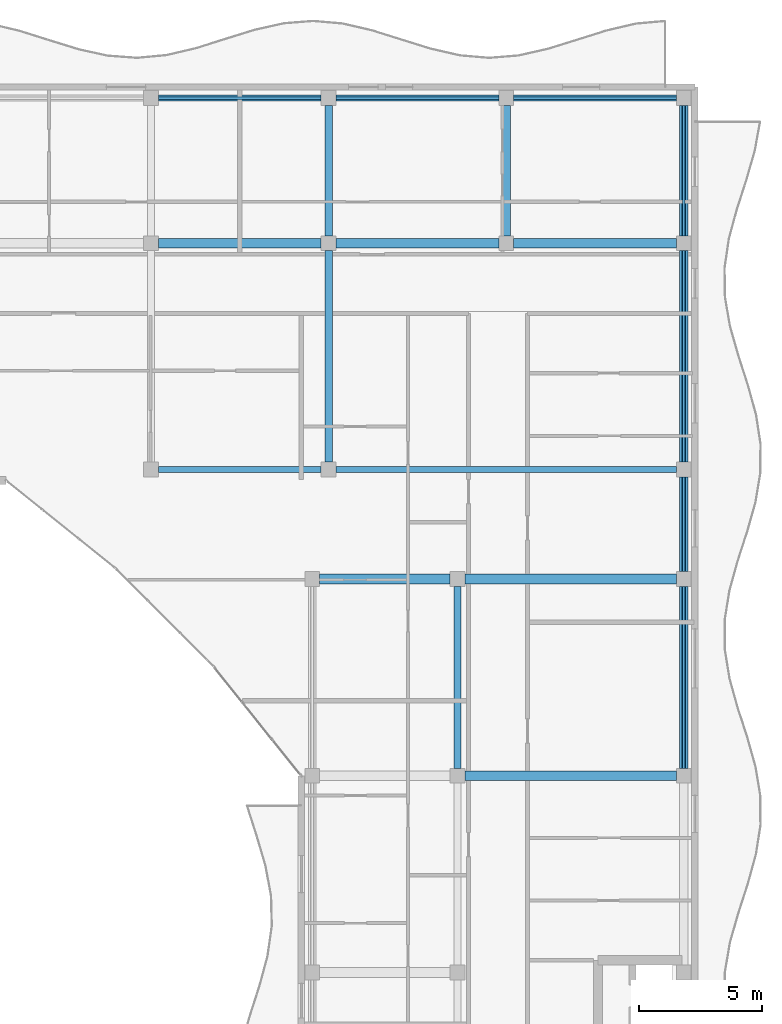
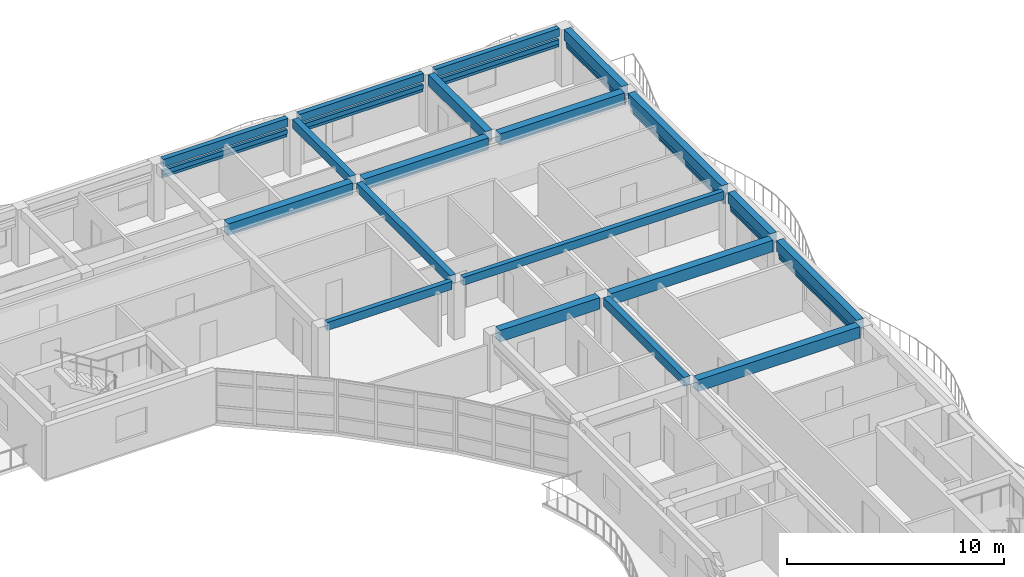
# One storey, part 21 of 72: 19 beams, 14 members.
"""IFC4 building model written with IfcOpenShell, lengths in metres."""

from ifc_helpers import new_model, si_unit, direction, frame, origin, origin_2d, place, context, subcontext, project, spatial, rectangle, hollow_rectangle, extrude, material, material_profile, profile_set, type_object, element, save


model = new_model("IFC4")

# Units and contexts
model_context = context("Model", 3, precision=1e-05, world=origin(), true_north=direction((0.0, 1.0)))
body_context = subcontext(model_context, "Body", "Model", "MODEL_VIEW")
ifc_project = project(units=[si_unit("LENGTHUNIT", "METRE"), si_unit("AREAUNIT", "SQUARE_METRE"), si_unit("VOLUMEUNIT", "CUBIC_METRE"), si_unit("PLANEANGLEUNIT", "RADIAN"), si_unit("MASSUNIT", "GRAM", prefix="KILO")], contexts=[model_context])

# Site, building, storey
site_placement = place(None, origin())
site = spatial("IfcSite", under=ifc_project, at=site_placement, CompositionType="ELEMENT")
building_placement = place(site_placement, origin())
building = spatial("IfcBuilding", under=site, at=building_placement, Name="Keldmere Railside Commons", CompositionType="ELEMENT")
storey_placement = place(building_placement, frame((0.0, 0.0, 16.9599609375)))
storey = spatial("IfcBuildingStorey", under=building, at=storey_placement, Name="L05", CompositionType="ELEMENT", Elevation=16.9599609375)

# Members
ifc_material_1 = material(Name="Steel F-36 (S355)", Category="steel")
ifc_material_profile_1 = material_profile(ifc_material_1, hollow_rectangle(XDim=0.14990234375, YDim=0.25, WallThickness=0.010009765625, at=origin_2d()), Name="RHS-250x150x10")
ifc_profile_set_1 = profile_set([ifc_material_profile_1], Name="Steel F-36 (S355)")
member_type_1 = type_object("IfcMemberType", Name="Balcony Continuous Planted Trough RHS250x150", PredefinedType="CHORD", material=ifc_profile_set_1)
for number, where, z_axis, x_axis, name in (
    (1, (162.18994140625, 115.550048828125, 2.4150390625), (1.0, 0.0, 0.0), (0.0, 1.0, 0.0), "PLT-1 MEM-BPLT-0653"),
    (2, (169.409912109375, 115.550048828125, 2.4150390625), (1.0, 0.0, 0.0), (0.0, 1.0, 0.0), "PLT-1 MEM-BPLT-0655"),
    (3, (176.6298828125, 115.550048828125, 2.4150390625), (1.0, 0.0, 0.0), (0.0, 1.0, 0.0), "PLT-1 MEM-BPLT-0657"),
):
    element("IfcMember", number, at=place(storey_placement, frame(where, z_axis=z_axis, x_axis=x_axis)), inside=storey, type_object=member_type_1, Name=name, PredefinedType="CHORD", context=body_context, shape_type="SweptSolid", body=[
        extrude(hollow_rectangle(XDim=0.14990234375, YDim=0.25, WallThickness=0.010009765625, at=origin_2d()), origin(), (0.0, 0.0, 1.0), 6.6201171875),
    ])
member_1_placement = place(storey_placement, frame((183.550048828125, 88.300048828125, 2.4150390625), z_axis=(0.0, 1.0, 0.0), x_axis=(-1.0, 0.0, 0.0)))
element("IfcMember", 4, at=member_1_placement, inside=storey, type_object=member_type_1, Name="PLT-1 MEM-BPLT-0671", PredefinedType="CHORD", context=body_context, shape_type="SweptSolid", body=[
    extrude(hollow_rectangle(XDim=0.14990234375, YDim=0.25, WallThickness=0.010009765625, at=origin_2d()), origin(), (0.0, 0.0, 1.0), 7.39990234375),
])
member_2_placement = place(storey_placement, frame((183.550048828125, 96.300048828125, 2.4150390625), z_axis=(0.0, 1.0, 0.0), x_axis=(-1.0, 0.0, 0.0)))
element("IfcMember", 5, at=member_2_placement, inside=storey, type_object=member_type_1, Name="PLT-1 MEM-BPLT-0673", PredefinedType="CHORD", context=body_context, shape_type="SweptSolid", body=[
    extrude(hollow_rectangle(XDim=0.14990234375, YDim=0.25, WallThickness=0.010009765625, at=origin_2d()), origin(), (0.0, 0.0, 1.0), 3.849853515625),
])
member_3_placement = place(storey_placement, frame((183.550048828125, 100.75, 2.4150390625), z_axis=(0.0, 1.0, 0.0), x_axis=(-1.0, 0.0, 0.0)))
element("IfcMember", 6, at=member_3_placement, inside=storey, type_object=member_type_1, Name="PLT-1 MEM-BPLT-0675", PredefinedType="CHORD", context=body_context, shape_type="SweptSolid", body=[
    extrude(hollow_rectangle(XDim=0.14990234375, YDim=0.25, WallThickness=0.010009765625, at=origin_2d()), origin(), (0.0, 0.0, 1.0), 8.60009765625),
])
member_4_placement = place(storey_placement, frame((183.550048828125, 109.949951171875, 2.4150390625), z_axis=(0.0, 1.0, 0.0), x_axis=(-1.0, 0.0, 0.0)))
element("IfcMember", 7, at=member_4_placement, inside=storey, type_object=member_type_1, Name="PLT-1 MEM-BPLT-0677", PredefinedType="CHORD", context=body_context, shape_type="SweptSolid", body=[
    extrude(hollow_rectangle(XDim=0.14990234375, YDim=0.25, WallThickness=0.010009765625, at=origin_2d()), origin(), (0.0, 0.0, 1.0), 5.300048828125),
])

# Beams
ifc_material_2 = material(Name="Architectural Precast Concrete H-35 (C35/45)", Category="concrete")
ifc_material_profile_2 = material_profile(ifc_material_2, rectangle(XDim=0.25, YDim=0.449951171875, at=origin_2d()), Name="RC-250x450")
ifc_profile_set_2 = profile_set([ifc_material_profile_2], Name="Architectural Precast Concrete H-35 (C35/45)")
beam_type_1 = type_object("IfcBeamType", Name="Perimeter Precast Spandrel Beam 250x450", PredefinedType="SPANDREL", material=ifc_profile_set_2)
beam_1_placement = place(storey_placement, frame((162.18994140625, 100.449951171875, 2.97509765625), z_axis=(1.0, 0.0, 0.0), x_axis=(0.0, 1.0, 0.0)))
element("IfcBeam", 8, at=beam_1_placement, inside=storey, type_object=beam_type_1, Name="SPB-1 BM-L05-1736", PredefinedType="SPANDREL", context=body_context, shape_type="SweptSolid", body=[
    extrude(rectangle(XDim=0.25, YDim=0.449951171875, at=origin_2d()), origin(), (0.0, 0.0, 1.0), 6.6201171875),
])
beam_2_placement = place(storey_placement, frame((169.409912109375, 100.449951171875, 2.97509765625), z_axis=(1.0, 0.0, 0.0), x_axis=(0.0, 1.0, 0.0)))
element("IfcBeam", 9, at=beam_2_placement, inside=storey, type_object=beam_type_1, Name="SPB-1 BM-L05-1737", PredefinedType="SPANDREL", context=body_context, shape_type="SweptSolid", body=[
    extrude(rectangle(XDim=0.25, YDim=0.449951171875, at=origin_2d()), origin(), (0.0, 0.0, 1.0), 13.840087890625),
])
for number, where, z_axis, x_axis, name in (
    (10, (162.18994140625, 115.550048828125, 2.97509765625), (1.0, 0.0, 0.0), (0.0, 1.0, 0.0), "SPB-1 BM-L05-1773"),
    (11, (169.409912109375, 115.550048828125, 2.97509765625), (1.0, 0.0, 0.0), (0.0, 1.0, 0.0), "SPB-1 BM-L05-1774"),
    (12, (176.6298828125, 115.550048828125, 2.97509765625), (1.0, 0.0, 0.0), (0.0, 1.0, 0.0), "SPB-1 BM-L05-1775"),
):
    element("IfcBeam", number, at=place(storey_placement, frame(where, z_axis=z_axis, x_axis=x_axis)), inside=storey, type_object=beam_type_1, Name=name, PredefinedType="SPANDREL", context=body_context, shape_type="SweptSolid", body=[
        extrude(rectangle(XDim=0.25, YDim=0.449951171875, at=origin_2d()), origin(), (0.0, 0.0, 1.0), 6.6201171875),
    ])
ifc_material_3 = material(Name="Concrete H-30 (C30/37)", Category="concrete")
ifc_material_profile_3 = material_profile(ifc_material_3, rectangle(XDim=0.35009765625, YDim=0.60009765625, at=origin_2d()), Name="RC-350x600")
ifc_profile_set_3 = profile_set([ifc_material_profile_3], Name="Concrete H-30 (C30/37)")
beam_type_2 = type_object("IfcBeamType", Name="Residential Chord RC Beam 350x600", PredefinedType="BEAM", material=ifc_profile_set_3)
beam_3_placement = place(storey_placement, frame((176.330078125, 109.949951171875, 2.900146484375), z_axis=(0.0, 1.0, 0.0), x_axis=(-1.0, 0.0, 0.0)))
element("IfcBeam", 13, at=beam_3_placement, inside=storey, type_object=beam_type_2, Name="BG-4 BM-L05-1854", PredefinedType="BEAM", context=body_context, shape_type="SweptSolid", body=[
    extrude(rectangle(XDim=0.35009765625, YDim=0.60009765625, at=origin_2d()), origin(), (0.0, 0.0, 1.0), 5.300048828125),
])
beam_4_placement = place(storey_placement, frame((183.550048828125, 88.300048828125, 2.900146484375), z_axis=(0.0, 1.0, 0.0), x_axis=(-1.0, 0.0, 0.0)))
element("IfcBeam", 14, at=beam_4_placement, inside=storey, type_object=beam_type_2, Name="BG-4 BM-L05-1857", PredefinedType="BEAM", context=body_context, shape_type="SweptSolid", body=[
    extrude(rectangle(XDim=0.35009765625, YDim=0.60009765625, at=origin_2d()), origin(), (0.0, 0.0, 1.0), 7.39990234375),
])
beam_5_placement = place(storey_placement, frame((183.550048828125, 96.300048828125, 2.900146484375), z_axis=(0.0, 1.0, 0.0), x_axis=(-1.0, 0.0, 0.0)))
element("IfcBeam", 15, at=beam_5_placement, inside=storey, type_object=beam_type_2, Name="BG-4 BM-L05-1858", PredefinedType="BEAM", context=body_context, shape_type="SweptSolid", body=[
    extrude(rectangle(XDim=0.35009765625, YDim=0.60009765625, at=origin_2d()), origin(), (0.0, 0.0, 1.0), 3.849853515625),
])
beam_6_placement = place(storey_placement, frame((183.550048828125, 100.75, 2.900146484375), z_axis=(0.0, 1.0, 0.0), x_axis=(-1.0, 0.0, 0.0)))
element("IfcBeam", 16, at=beam_6_placement, inside=storey, type_object=beam_type_2, Name="BG-4 BM-L05-1859", PredefinedType="BEAM", context=body_context, shape_type="SweptSolid", body=[
    extrude(rectangle(XDim=0.35009765625, YDim=0.60009765625, at=origin_2d()), origin(), (0.0, 0.0, 1.0), 8.60009765625),
])
beam_7_placement = place(storey_placement, frame((183.550048828125, 109.949951171875, 2.900146484375), z_axis=(0.0, 1.0, 0.0), x_axis=(-1.0, 0.0, 0.0)))
element("IfcBeam", 17, at=beam_7_placement, inside=storey, type_object=beam_type_2, Name="BG-4 BM-L05-1860", PredefinedType="BEAM", context=body_context, shape_type="SweptSolid", body=[
    extrude(rectangle(XDim=0.35009765625, YDim=0.60009765625, at=origin_2d()), origin(), (0.0, 0.0, 1.0), 5.300048828125),
])
ifc_material_profile_4 = material_profile(ifc_material_3, rectangle(XDim=0.39990234375, YDim=0.64990234375, at=origin_2d()), Name="RC-400x650")
ifc_profile_set_4 = profile_set([ifc_material_profile_4], Name="Concrete H-30 (C30/37)")
beam_type_3 = type_object("IfcBeamType", Name="Residential Spine RC Girder 400x650", PredefinedType="BEAM", material=ifc_profile_set_4)
beam_8_placement = place(storey_placement, frame((174.64990234375, 88.0, 2.875), z_axis=(1.0, 0.0, 0.0), x_axis=(0.0, 1.0, 0.0)))
element("IfcBeam", 18, at=beam_8_placement, inside=storey, type_object=beam_type_3, Name="BG-3 BM-L05-1719", PredefinedType="BEAM", context=body_context, shape_type="SweptSolid", body=[
    extrude(rectangle(XDim=0.39990234375, YDim=0.64990234375, at=origin_2d()), origin(), (0.0, 0.0, 1.0), 8.60009765625),
])
beam_9_placement = place(storey_placement, frame((168.75, 96.0, 2.875), z_axis=(1.0, 0.0, 0.0), x_axis=(0.0, 1.0, 0.0)))
element("IfcBeam", 19, at=beam_9_placement, inside=storey, type_object=beam_type_3, Name="BG-3 BM-L05-1726", PredefinedType="BEAM", context=body_context, shape_type="SweptSolid", body=[
    extrude(rectangle(XDim=0.39990234375, YDim=0.64990234375, at=origin_2d()), origin(), (0.0, 0.0, 1.0), 5.300048828125),
])
beam_10_placement = place(storey_placement, frame((174.64990234375, 96.0, 2.875), z_axis=(1.0, 0.0, 0.0), x_axis=(0.0, 1.0, 0.0)))
element("IfcBeam", 20, at=beam_10_placement, inside=storey, type_object=beam_type_3, Name="BG-3 BM-L05-1727", PredefinedType="BEAM", context=body_context, shape_type="SweptSolid", body=[
    extrude(rectangle(XDim=0.39990234375, YDim=0.64990234375, at=origin_2d()), origin(), (0.0, 0.0, 1.0), 8.60009765625),
])
for number, where, z_axis, x_axis, name in (
    (21, (162.18994140625, 109.64990234375, 2.875), (1.0, 0.0, 0.0), (0.0, 1.0, 0.0), "BG-3 BM-L05-1754"),
    (22, (169.409912109375, 109.64990234375, 2.875), (1.0, 0.0, 0.0), (0.0, 1.0, 0.0), "BG-3 BM-L05-1755"),
    (23, (176.6298828125, 109.64990234375, 2.875), (1.0, 0.0, 0.0), (0.0, 1.0, 0.0), "BG-3 BM-L05-1756"),
):
    element("IfcBeam", number, at=place(storey_placement, frame(where, z_axis=z_axis, x_axis=x_axis)), inside=storey, type_object=beam_type_3, Name=name, PredefinedType="BEAM", context=body_context, shape_type="SweptSolid", body=[
        extrude(rectangle(XDim=0.39990234375, YDim=0.64990234375, at=origin_2d()), origin(), (0.0, 0.0, 1.0), 6.6201171875),
    ])
ifc_material_profile_5 = material_profile(ifc_material_3, rectangle(XDim=0.300048828125, YDim=0.5, at=origin_2d()), Name="RC-300x500")
ifc_profile_set_5 = profile_set([ifc_material_profile_5], Name="Concrete H-30 (C30/37)")
beam_type_4 = type_object("IfcBeamType", Name="Secondary Frame RC Beam 300x500", PredefinedType="BEAM", material=ifc_profile_set_5)
beam_11_placement = place(storey_placement, frame((169.110107421875, 100.75, 2.949951171875), z_axis=(0.0, 1.0, 0.0), x_axis=(-1.0, 0.0, 0.0)))
element("IfcBeam", 24, at=beam_11_placement, inside=storey, type_object=beam_type_4, Name="BG-5 BM-L05-1847", PredefinedType="BEAM", context=body_context, shape_type="SweptSolid", body=[
    extrude(rectangle(XDim=0.300048828125, YDim=0.5, at=origin_2d()), origin(), (0.0, 0.0, 1.0), 8.60009765625),
])
beam_12_placement = place(storey_placement, frame((169.110107421875, 109.949951171875, 2.949951171875), z_axis=(0.0, 1.0, 0.0), x_axis=(-1.0, 0.0, 0.0)))
element("IfcBeam", 25, at=beam_12_placement, inside=storey, type_object=beam_type_4, Name="BG-5 BM-L05-1848", PredefinedType="BEAM", context=body_context, shape_type="SweptSolid", body=[
    extrude(rectangle(XDim=0.300048828125, YDim=0.5, at=origin_2d()), origin(), (0.0, 0.0, 1.0), 5.300048828125),
])
beam_13_placement = place(storey_placement, frame((174.35009765625, 88.300048828125, 2.949951171875), z_axis=(0.0, 1.0, 0.0), x_axis=(-1.0, 0.0, 0.0)))
element("IfcBeam", 26, at=beam_13_placement, inside=storey, type_object=beam_type_4, Name="BG-5 BM-L05-1853", PredefinedType="BEAM", context=body_context, shape_type="SweptSolid", body=[
    extrude(rectangle(XDim=0.300048828125, YDim=0.5, at=origin_2d()), origin(), (0.0, 0.0, 1.0), 7.39990234375),
])

# Members
ifc_material_profile_6 = material_profile(ifc_material_1, hollow_rectangle(XDim=0.10009765625, YDim=0.159912109375, WallThickness=0.008056640625, at=origin_2d()), Name="RHS-160x100x8")
ifc_profile_set_6 = profile_set([ifc_material_profile_6], Name="Steel F-36 (S355)")
member_type_2 = type_object("IfcMemberType", Name="Solar Brise-Soleil Louvre Fin RHS160x100", PredefinedType="STRUT", material=ifc_profile_set_6)
for number, where, z_axis, x_axis, name in (
    (27, (162.18994140625, 115.550048828125, 2.199951171875), (1.0, 0.0, 0.0), (0.0, 1.0, 0.0), "BSF-1 MEM-BSF-0654"),
    (28, (169.409912109375, 115.550048828125, 2.199951171875), (1.0, 0.0, 0.0), (0.0, 1.0, 0.0), "BSF-1 MEM-BSF-0656"),
    (29, (176.6298828125, 115.550048828125, 2.199951171875), (1.0, 0.0, 0.0), (0.0, 1.0, 0.0), "BSF-1 MEM-BSF-0658"),
):
    element("IfcMember", number, at=place(storey_placement, frame(where, z_axis=z_axis, x_axis=x_axis)), inside=storey, type_object=member_type_2, Name=name, PredefinedType="STRUT", context=body_context, shape_type="SweptSolid", body=[
        extrude(hollow_rectangle(XDim=0.10009765625, YDim=0.159912109375, WallThickness=0.008056640625, at=origin_2d()), origin(), (0.0, 0.0, 1.0), 6.6201171875),
    ])
member_5_placement = place(storey_placement, frame((183.550048828125, 88.300048828125, 2.199951171875), z_axis=(0.0, 1.0, 0.0), x_axis=(-1.0, 0.0, 0.0)))
element("IfcMember", 30, at=member_5_placement, inside=storey, type_object=member_type_2, Name="BSF-1 MEM-BSF-0672", PredefinedType="STRUT", context=body_context, shape_type="SweptSolid", body=[
    extrude(hollow_rectangle(XDim=0.10009765625, YDim=0.159912109375, WallThickness=0.008056640625, at=origin_2d()), origin(), (0.0, 0.0, 1.0), 7.39990234375),
])
member_6_placement = place(storey_placement, frame((183.550048828125, 96.300048828125, 2.199951171875), z_axis=(0.0, 1.0, 0.0), x_axis=(-1.0, 0.0, 0.0)))
element("IfcMember", 31, at=member_6_placement, inside=storey, type_object=member_type_2, Name="BSF-1 MEM-BSF-0674", PredefinedType="STRUT", context=body_context, shape_type="SweptSolid", body=[
    extrude(hollow_rectangle(XDim=0.10009765625, YDim=0.159912109375, WallThickness=0.008056640625, at=origin_2d()), origin(), (0.0, 0.0, 1.0), 3.849853515625),
])
member_7_placement = place(storey_placement, frame((183.550048828125, 100.75, 2.199951171875), z_axis=(0.0, 1.0, 0.0), x_axis=(-1.0, 0.0, 0.0)))
element("IfcMember", 32, at=member_7_placement, inside=storey, type_object=member_type_2, Name="BSF-1 MEM-BSF-0676", PredefinedType="STRUT", context=body_context, shape_type="SweptSolid", body=[
    extrude(hollow_rectangle(XDim=0.10009765625, YDim=0.159912109375, WallThickness=0.008056640625, at=origin_2d()), origin(), (0.0, 0.0, 1.0), 8.60009765625),
])
member_8_placement = place(storey_placement, frame((183.550048828125, 109.949951171875, 2.199951171875), z_axis=(0.0, 1.0, 0.0), x_axis=(-1.0, 0.0, 0.0)))
element("IfcMember", 33, at=member_8_placement, inside=storey, type_object=member_type_2, Name="BSF-1 MEM-BSF-0678", PredefinedType="STRUT", context=body_context, shape_type="SweptSolid", body=[
    extrude(hollow_rectangle(XDim=0.10009765625, YDim=0.159912109375, WallThickness=0.008056640625, at=origin_2d()), origin(), (0.0, 0.0, 1.0), 5.300048828125),
])

save(model, "model.ifc")
